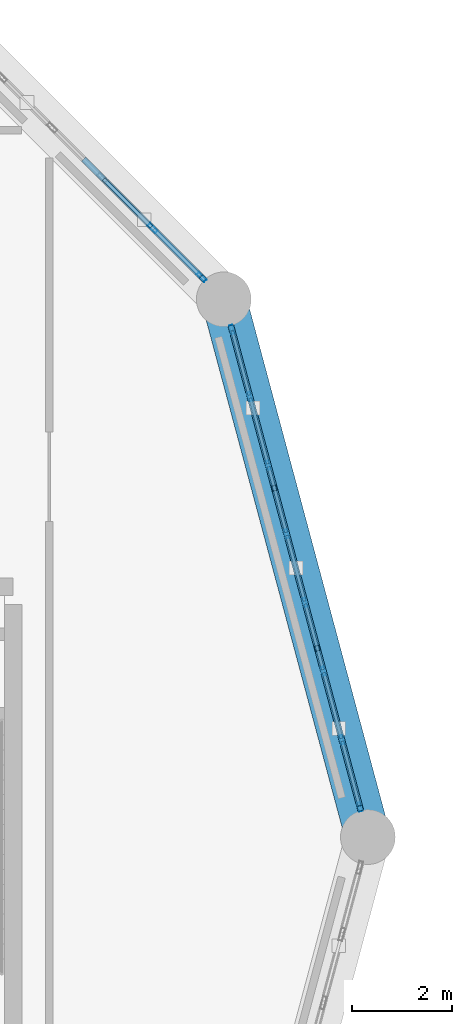
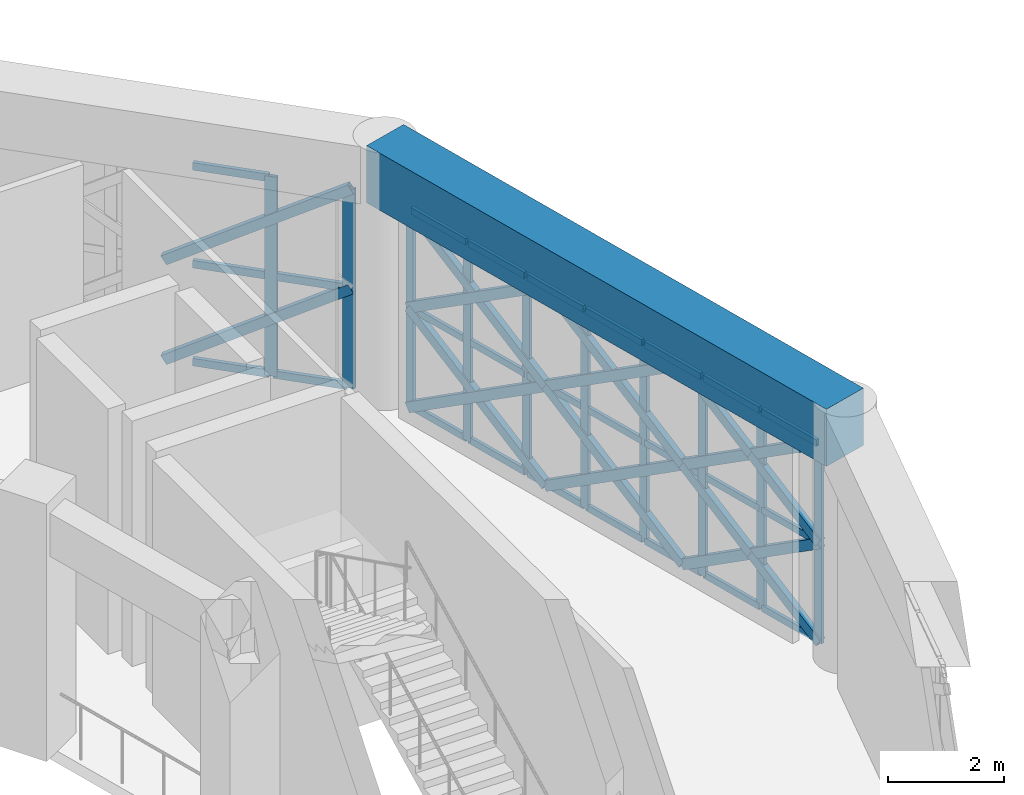
# One storey, part 32 of 72: 56 members, 1 beam, 2 elements without a shape of their own.
"""IFC4 building model written with IfcOpenShell, lengths in metres."""

from ifc_helpers import new_model, si_unit, direction, frame, origin, origin_2d, place, context, subcontext, project, spatial, rectangle, hollow_rectangle, extrude, material, material_profile, profile_set, type_object, element, aggregate, save


model = new_model("IFC4")

# Units and contexts
model_context = context("Model", 3, precision=1e-05, world=origin(), true_north=direction((0.0, 1.0)))
body_context = subcontext(model_context, "Body", "Model", "MODEL_VIEW")
ifc_project = project(units=[si_unit("LENGTHUNIT", "METRE"), si_unit("AREAUNIT", "SQUARE_METRE"), si_unit("VOLUMEUNIT", "CUBIC_METRE"), si_unit("PLANEANGLEUNIT", "RADIAN"), si_unit("MASSUNIT", "GRAM", prefix="KILO")], contexts=[model_context])

# Site, building, storey
site_placement = place(None, origin())
site = spatial("IfcSite", under=ifc_project, at=site_placement, CompositionType="ELEMENT")
building_placement = place(site_placement, origin())
building = spatial("IfcBuilding", under=site, at=building_placement, Name="Haizhuo Lancet Aquarium", CompositionType="ELEMENT")
storey_placement = place(building_placement, frame((0.0, 0.0, 21.60009765625)))
storey = spatial("IfcBuildingStorey", under=building, at=storey_placement, Name="L04", CompositionType="ELEMENT", Elevation=21.60009765625)

# Beam
ifc_material_1 = material(Name="Concrete C50/60", Category="concrete")
ifc_material_profile_1 = material_profile(ifc_material_1, rectangle(XDim=0.89990234375, YDim=1.199951171875, at=origin_2d()), Name="RC-RB 900x1200")
ifc_profile_set_1 = profile_set([ifc_material_profile_1], Name="Concrete C50/60")
beam_type = type_object("IfcBeamType", Name="BM-RB-900x1200", PredefinedType="USERDEFINED", material=ifc_profile_set_1)
beam_placement = place(storey_placement, frame((21.60009765625, 0.0, 4.7998046875), z_axis=(-0.258833949056, 0.965921832664, 0.0), x_axis=(-0.965921832664, -0.258833949056, 0.0)))
element("IfcBeam", 1, at=beam_placement, inside=storey, type_object=beam_type, Name="Ocean Hall dome tension ring beam RB-1 seg 1", ObjectType="RING BEAM", PredefinedType="USERDEFINED", context=body_context, shape_type="SweptSolid", body=[
    extrude(rectangle(XDim=0.89990234375, YDim=1.199951171875, at=origin_2d()), origin(), (0.0, 0.0, 1.0), 11.18115234375),
])

# Curtain wall, members
ifc_material_2 = material(Name="Aluminium 6063-T6", Category="aluminium")
curtain_wall_type = type_object("IfcCurtainWallType", Name="CWO-9990x4180", PredefinedType="NOTDEFINED", material=ifc_material_2)
curtain_wall_1_placement = place(storey_placement, origin())
curtain_wall_1 = element("IfcCurtainWall", 2, at=curtain_wall_1_placement, inside=storey, type_object=curtain_wall_type, Name="L04 curtain wall CW-V1-L04-01", PredefinedType="NOTDEFINED")
ifc_material_profile_2 = material_profile(ifc_material_2, hollow_rectangle(XDim=0.06494140625, YDim=0.179931640625, WallThickness=0.00390625, at=origin_2d()), Name="ALU-M 65x180x4")
ifc_profile_set_2 = profile_set([ifc_material_profile_2], Name="Aluminium 6063-T6")
member_type_1 = type_object("IfcMemberType", Name="CW-MUL-1", PredefinedType="MULLION", material=ifc_profile_set_2)
member_1_placement = place(storey_placement, frame((18.867919921875, 10.194091796875, 0.0), z_axis=(0.0, 0.0, 1.0), x_axis=(0.965916791212, 0.258852762117, 0.0)))
member_1 = element("IfcMember", 3, at=member_1_placement, type_object=member_type_1, Name="CWO-99x41 mullion 1", PredefinedType="MULLION", context=body_context, shape_type="SweptSolid", body=[
    extrude(hollow_rectangle(XDim=0.06494140625, YDim=0.179931640625, WallThickness=0.00390625, at=origin_2d()), origin(), (0.0, 0.0, 1.0), 4.184814453125),
])
member_2_placement = place(storey_placement, frame((19.22900390625, 8.845947265625, 0.0), z_axis=(0.0, 0.0, 1.0), x_axis=(0.965916791212, 0.258852762117, 0.0)))
member_2 = element("IfcMember", 4, at=member_2_placement, type_object=member_type_1, Name="CWO-99x41 mullion 2", PredefinedType="MULLION", context=body_context, shape_type="SweptSolid", body=[
    extrude(hollow_rectangle(XDim=0.06494140625, YDim=0.179931640625, WallThickness=0.00390625, at=origin_2d()), origin(), (0.0, 0.0, 1.0), 4.184814453125),
])
member_3_placement = place(storey_placement, frame((19.59912109375, 7.468017578125, 0.0), z_axis=(0.0, 0.0, 1.0), x_axis=(0.965916791212, 0.258852762117, 0.0)))
member_3 = element("IfcMember", 5, at=member_3_placement, type_object=member_type_1, Name="CWO-99x41 mullion 3", PredefinedType="MULLION", context=body_context, shape_type="SweptSolid", body=[
    extrude(hollow_rectangle(XDim=0.06494140625, YDim=0.179931640625, WallThickness=0.00390625, at=origin_2d()), origin(), (0.0, 0.0, 1.0), 4.184814453125),
])
member_4_placement = place(storey_placement, frame((19.968017578125, 6.089111328125, 0.0), z_axis=(0.0, 0.0, 1.0), x_axis=(0.965916791212, 0.258852762117, 0.0)))
member_4 = element("IfcMember", 6, at=member_4_placement, type_object=member_type_1, Name="CWO-99x41 mullion 4", PredefinedType="MULLION", context=body_context, shape_type="SweptSolid", body=[
    extrude(hollow_rectangle(XDim=0.06494140625, YDim=0.179931640625, WallThickness=0.00390625, at=origin_2d()), origin(), (0.0, 0.0, 1.0), 4.184814453125),
])
member_5_placement = place(storey_placement, frame((20.337890625, 4.7109375, 0.0), z_axis=(0.0, 0.0, 1.0), x_axis=(0.965916791212, 0.258852762117, 0.0)))
member_5 = element("IfcMember", 7, at=member_5_placement, type_object=member_type_1, Name="CWO-99x41 mullion 5", PredefinedType="MULLION", context=body_context, shape_type="SweptSolid", body=[
    extrude(hollow_rectangle(XDim=0.06494140625, YDim=0.179931640625, WallThickness=0.00390625, at=origin_2d()), origin(), (0.0, 0.0, 1.0), 4.184814453125),
])
member_6_placement = place(storey_placement, frame((20.70703125, 3.33203125, 0.0), z_axis=(0.0, 0.0, 1.0), x_axis=(0.965916791212, 0.258852762117, 0.0)))
member_6 = element("IfcMember", 8, at=member_6_placement, type_object=member_type_1, Name="CWO-99x41 mullion 6", PredefinedType="MULLION", context=body_context, shape_type="SweptSolid", body=[
    extrude(hollow_rectangle(XDim=0.06494140625, YDim=0.179931640625, WallThickness=0.00390625, at=origin_2d()), origin(), (0.0, 0.0, 1.0), 4.184814453125),
])
member_7_placement = place(storey_placement, frame((21.076904296875, 1.9541015625, 0.0), z_axis=(0.0, 0.0, 1.0), x_axis=(0.965916791212, 0.258852762117, 0.0)))
member_7 = element("IfcMember", 9, at=member_7_placement, type_object=member_type_1, Name="CWO-99x41 mullion 7", PredefinedType="MULLION", context=body_context, shape_type="SweptSolid", body=[
    extrude(hollow_rectangle(XDim=0.06494140625, YDim=0.179931640625, WallThickness=0.00390625, at=origin_2d()), origin(), (0.0, 0.0, 1.0), 4.184814453125),
])
member_8_placement = place(storey_placement, frame((21.43798828125, 0.60595703125, 0.0), z_axis=(0.0, 0.0, 1.0), x_axis=(0.965916791212, 0.258852762117, 0.0)))
member_8 = element("IfcMember", 10, at=member_8_placement, type_object=member_type_1, Name="CWO-99x41 mullion 8", PredefinedType="MULLION", context=body_context, shape_type="SweptSolid", body=[
    extrude(hollow_rectangle(XDim=0.06494140625, YDim=0.179931640625, WallThickness=0.00390625, at=origin_2d()), origin(), (0.0, 0.0, 1.0), 4.184814453125),
])

curtain_wall_2_placement = place(storey_placement, origin())
curtain_wall_2 = element("IfcCurtainWall", 11, at=curtain_wall_2_placement, inside=storey, type_object=curtain_wall_type, Name="L04 curtain wall CW-V1-L04-02", PredefinedType="NOTDEFINED")
ifc_material_profile_3 = material_profile(ifc_material_2, hollow_rectangle(XDim=0.074951171875, YDim=0.219970703125, WallThickness=0.0048828125, at=origin_2d()), Name="ALU-M 75x220x5")
ifc_profile_set_3 = profile_set([ifc_material_profile_3], Name="Aluminium 6063-T6")
member_type_2 = type_object("IfcMemberType", Name="CW-MUL-2", PredefinedType="MULLION", material=ifc_profile_set_3)
member_9_placement = place(storey_placement, frame((17.27587890625, 12.22998046875, 0.0), z_axis=(0.0, 0.0, 1.0), x_axis=(0.707106781187, 0.707106781187, 0.0)))
member_9 = element("IfcMember", 12, at=member_9_placement, type_object=member_type_2, Name="CWO-99x41 mullion 7", PredefinedType="MULLION", context=body_context, shape_type="SweptSolid", body=[
    extrude(hollow_rectangle(XDim=0.074951171875, YDim=0.219970703125, WallThickness=0.0048828125, at=origin_2d()), origin(), (0.0, 0.0, 1.0), 4.184814453125),
])
member_10_placement = place(storey_placement, frame((18.258056640625, 11.248046875, 0.0), z_axis=(0.0, 0.0, 1.0), x_axis=(0.707106781187, 0.707106781187, 0.0)))
member_10 = element("IfcMember", 13, at=member_10_placement, type_object=member_type_2, Name="CWO-99x41 mullion 8", PredefinedType="MULLION", context=body_context, shape_type="SweptSolid", body=[
    extrude(hollow_rectangle(XDim=0.074951171875, YDim=0.219970703125, WallThickness=0.0048828125, at=origin_2d()), origin(), (0.0, 0.0, 1.0), 4.184814453125),
])

# Member
ifc_material_profile_4 = material_profile(ifc_material_2, hollow_rectangle(XDim=0.06494140625, YDim=0.139892578125, WallThickness=0.00390625, at=origin_2d()), Name="ALU-T 65x140x4")
ifc_profile_set_4 = profile_set([ifc_material_profile_4], Name="Aluminium 6063-T6")
member_type_3 = type_object("IfcMemberType", Name="CW-TRN-1", PredefinedType="NOTDEFINED", material=ifc_profile_set_4)
member_11_placement = place(storey_placement, frame((18.876953125, 10.162109375, 0.032958984375), z_axis=(0.258748324207, -0.965944773121, 0.0), x_axis=(0.965944773121, 0.258748324207, 0.0)))
member_11 = element("IfcMember", 14, at=member_11_placement, type_object=member_type_3, Name="CWO-99x41 transom 1.1", ObjectType="TRANSOM", PredefinedType="USERDEFINED", context=body_context, shape_type="SweptSolid", body=[
    extrude(hollow_rectangle(XDim=0.06494140625, YDim=0.139892578125, WallThickness=0.00390625, at=origin_2d()), origin(), (0.0, 0.0, 1.0), 1.329345703125),
])

member_12_placement = place(storey_placement, frame((18.876953125, 10.162109375, 2.093017578125), z_axis=(0.258748324207, -0.965944773121, 0.0), x_axis=(0.965944773121, 0.258748324207, 0.0)))
member_12 = element("IfcMember", 15, at=member_12_placement, type_object=member_type_3, Name="CWO-99x41 transom 1.2", ObjectType="TRANSOM", PredefinedType="USERDEFINED", context=body_context, shape_type="SweptSolid", body=[
    extrude(hollow_rectangle(XDim=0.06494140625, YDim=0.139892578125, WallThickness=0.00390625, at=origin_2d()), origin(), (0.0, 0.0, 1.0), 1.329345703125),
])

member_13_placement = place(storey_placement, frame((18.876953125, 10.162109375, 4.15283203125), z_axis=(0.258748324207, -0.965944773121, 0.0), x_axis=(0.965944773121, 0.258748324207, 0.0)))
member_13 = element("IfcMember", 16, at=member_13_placement, type_object=member_type_3, Name="CWO-99x41 transom 1.3", ObjectType="TRANSOM", PredefinedType="USERDEFINED", context=body_context, shape_type="SweptSolid", body=[
    extrude(hollow_rectangle(XDim=0.06494140625, YDim=0.139892578125, WallThickness=0.00390625, at=origin_2d()), origin(), (0.0, 0.0, 1.0), 1.329345703125),
])

member_14_placement = place(storey_placement, frame((19.238037109375, 8.81494140625, 0.032958984375), z_axis=(0.258443425176, -0.966026395076, 0.0), x_axis=(0.966026395076, 0.258443425176, 0.0)))
member_14 = element("IfcMember", 17, at=member_14_placement, type_object=member_type_3, Name="CWO-99x41 transom 2.1", ObjectType="TRANSOM", PredefinedType="USERDEFINED", context=body_context, shape_type="SweptSolid", body=[
    extrude(hollow_rectangle(XDim=0.06494140625, YDim=0.139892578125, WallThickness=0.00390625, at=origin_2d()), origin(), (0.0, 0.0, 1.0), 1.3623046875),
])

member_15_placement = place(storey_placement, frame((19.238037109375, 8.81494140625, 2.093017578125), z_axis=(0.258443425176, -0.966026395076, 0.0), x_axis=(0.966026395076, 0.258443425176, 0.0)))
member_15 = element("IfcMember", 18, at=member_15_placement, type_object=member_type_3, Name="CWO-99x41 transom 2.2", ObjectType="TRANSOM", PredefinedType="USERDEFINED", context=body_context, shape_type="SweptSolid", body=[
    extrude(hollow_rectangle(XDim=0.06494140625, YDim=0.139892578125, WallThickness=0.00390625, at=origin_2d()), origin(), (0.0, 0.0, 1.0), 1.3623046875),
])

member_16_placement = place(storey_placement, frame((19.238037109375, 8.81494140625, 4.15283203125), z_axis=(0.258443425176, -0.966026395076, 0.0), x_axis=(0.966026395076, 0.258443425176, 0.0)))
member_16 = element("IfcMember", 19, at=member_16_placement, type_object=member_type_3, Name="CWO-99x41 transom 2.3", ObjectType="TRANSOM", PredefinedType="USERDEFINED", context=body_context, shape_type="SweptSolid", body=[
    extrude(hollow_rectangle(XDim=0.06494140625, YDim=0.139892578125, WallThickness=0.00390625, at=origin_2d()), origin(), (0.0, 0.0, 1.0), 1.3623046875),
])

member_17_placement = place(storey_placement, frame((19.60693359375, 7.43603515625, 0.032958984375), z_axis=(0.259291758378, -0.965799039157, 0.0), x_axis=(0.965799039157, 0.259291758378, 0.0)))
member_17 = element("IfcMember", 20, at=member_17_placement, type_object=member_type_3, Name="CWO-99x41 transom 3.1", ObjectType="TRANSOM", PredefinedType="USERDEFINED", context=body_context, shape_type="SweptSolid", body=[
    extrude(hollow_rectangle(XDim=0.06494140625, YDim=0.139892578125, WallThickness=0.00390625, at=origin_2d()), origin(), (0.0, 0.0, 1.0), 1.361572265625),
])

member_18_placement = place(storey_placement, frame((19.60693359375, 7.43603515625, 2.093017578125), z_axis=(0.259291758378, -0.965799039157, 0.0), x_axis=(0.965799039157, 0.259291758378, 0.0)))
member_18 = element("IfcMember", 21, at=member_18_placement, type_object=member_type_3, Name="CWO-99x41 transom 3.2", ObjectType="TRANSOM", PredefinedType="USERDEFINED", context=body_context, shape_type="SweptSolid", body=[
    extrude(hollow_rectangle(XDim=0.06494140625, YDim=0.139892578125, WallThickness=0.00390625, at=origin_2d()), origin(), (0.0, 0.0, 1.0), 1.361572265625),
])

member_19_placement = place(storey_placement, frame((19.60693359375, 7.43603515625, 4.15283203125), z_axis=(0.259291758378, -0.965799039157, 0.0), x_axis=(0.965799039157, 0.259291758378, 0.0)))
member_19 = element("IfcMember", 22, at=member_19_placement, type_object=member_type_3, Name="CWO-99x41 transom 3.3", ObjectType="TRANSOM", PredefinedType="USERDEFINED", context=body_context, shape_type="SweptSolid", body=[
    extrude(hollow_rectangle(XDim=0.06494140625, YDim=0.139892578125, WallThickness=0.00390625, at=origin_2d()), origin(), (0.0, 0.0, 1.0), 1.361572265625),
])

member_20_placement = place(storey_placement, frame((19.97705078125, 6.05810546875, 0.032958984375), z_axis=(0.258398686594, -0.966038362989, 0.0), x_axis=(0.966038362989, 0.258398686594, 0.0)))
member_20 = element("IfcMember", 23, at=member_20_placement, type_object=member_type_3, Name="CWO-99x41 transom 4.1", ObjectType="TRANSOM", PredefinedType="USERDEFINED", context=body_context, shape_type="SweptSolid", body=[
    extrude(hollow_rectangle(XDim=0.06494140625, YDim=0.139892578125, WallThickness=0.00390625, at=origin_2d()), origin(), (0.0, 0.0, 1.0), 1.362548828125),
])

member_21_placement = place(storey_placement, frame((19.97705078125, 6.05810546875, 2.093017578125), z_axis=(0.258398686594, -0.966038362989, 0.0), x_axis=(0.966038362989, 0.258398686594, 0.0)))
member_21 = element("IfcMember", 24, at=member_21_placement, type_object=member_type_3, Name="CWO-99x41 transom 4.2", ObjectType="TRANSOM", PredefinedType="USERDEFINED", context=body_context, shape_type="SweptSolid", body=[
    extrude(hollow_rectangle(XDim=0.06494140625, YDim=0.139892578125, WallThickness=0.00390625, at=origin_2d()), origin(), (0.0, 0.0, 1.0), 1.362548828125),
])

member_22_placement = place(storey_placement, frame((19.97705078125, 6.05810546875, 4.15283203125), z_axis=(0.258398686594, -0.966038362989, 0.0), x_axis=(0.966038362989, 0.258398686594, 0.0)))
member_22 = element("IfcMember", 25, at=member_22_placement, type_object=member_type_3, Name="CWO-99x41 transom 4.3", ObjectType="TRANSOM", PredefinedType="USERDEFINED", context=body_context, shape_type="SweptSolid", body=[
    extrude(hollow_rectangle(XDim=0.06494140625, YDim=0.139892578125, WallThickness=0.00390625, at=origin_2d()), origin(), (0.0, 0.0, 1.0), 1.362548828125),
])

member_23_placement = place(storey_placement, frame((20.345947265625, 4.678955078125, 0.032958984375), z_axis=(0.259291758378, -0.965799039157, 0.0), x_axis=(0.965799039157, 0.259291758378, 0.0)))
member_23 = element("IfcMember", 26, at=member_23_placement, type_object=member_type_3, Name="CWO-99x41 transom 5.1", ObjectType="TRANSOM", PredefinedType="USERDEFINED", context=body_context, shape_type="SweptSolid", body=[
    extrude(hollow_rectangle(XDim=0.06494140625, YDim=0.139892578125, WallThickness=0.00390625, at=origin_2d()), origin(), (0.0, 0.0, 1.0), 1.361572265625),
])

member_24_placement = place(storey_placement, frame((20.345947265625, 4.678955078125, 2.093017578125), z_axis=(0.259291758378, -0.965799039157, 0.0), x_axis=(0.965799039157, 0.259291758378, 0.0)))
member_24 = element("IfcMember", 27, at=member_24_placement, type_object=member_type_3, Name="CWO-99x41 transom 5.2", ObjectType="TRANSOM", PredefinedType="USERDEFINED", context=body_context, shape_type="SweptSolid", body=[
    extrude(hollow_rectangle(XDim=0.06494140625, YDim=0.139892578125, WallThickness=0.00390625, at=origin_2d()), origin(), (0.0, 0.0, 1.0), 1.361572265625),
])

member_25_placement = place(storey_placement, frame((20.345947265625, 4.678955078125, 4.15283203125), z_axis=(0.259291758378, -0.965799039157, 0.0), x_axis=(0.965799039157, 0.259291758378, 0.0)))
member_25 = element("IfcMember", 28, at=member_25_placement, type_object=member_type_3, Name="CWO-99x41 transom 5.3", ObjectType="TRANSOM", PredefinedType="USERDEFINED", context=body_context, shape_type="SweptSolid", body=[
    extrude(hollow_rectangle(XDim=0.06494140625, YDim=0.139892578125, WallThickness=0.00390625, at=origin_2d()), origin(), (0.0, 0.0, 1.0), 1.361572265625),
])

member_26_placement = place(storey_placement, frame((20.716064453125, 3.301025390625, 0.032958984375), z_axis=(0.258443425176, -0.966026395076, 0.0), x_axis=(0.966026395076, 0.258443425176, 0.0)))
member_26 = element("IfcMember", 29, at=member_26_placement, type_object=member_type_3, Name="CWO-99x41 transom 6.1", ObjectType="TRANSOM", PredefinedType="USERDEFINED", context=body_context, shape_type="SweptSolid", body=[
    extrude(hollow_rectangle(XDim=0.06494140625, YDim=0.139892578125, WallThickness=0.00390625, at=origin_2d()), origin(), (0.0, 0.0, 1.0), 1.3623046875),
])

member_27_placement = place(storey_placement, frame((20.716064453125, 3.301025390625, 2.093017578125), z_axis=(0.258443425176, -0.966026395076, 0.0), x_axis=(0.966026395076, 0.258443425176, 0.0)))
member_27 = element("IfcMember", 30, at=member_27_placement, type_object=member_type_3, Name="CWO-99x41 transom 6.2", ObjectType="TRANSOM", PredefinedType="USERDEFINED", context=body_context, shape_type="SweptSolid", body=[
    extrude(hollow_rectangle(XDim=0.06494140625, YDim=0.139892578125, WallThickness=0.00390625, at=origin_2d()), origin(), (0.0, 0.0, 1.0), 1.3623046875),
])

member_28_placement = place(storey_placement, frame((20.716064453125, 3.301025390625, 4.15283203125), z_axis=(0.258443425176, -0.966026395076, 0.0), x_axis=(0.966026395076, 0.258443425176, 0.0)))
member_28 = element("IfcMember", 31, at=member_28_placement, type_object=member_type_3, Name="CWO-99x41 transom 6.3", ObjectType="TRANSOM", PredefinedType="USERDEFINED", context=body_context, shape_type="SweptSolid", body=[
    extrude(hollow_rectangle(XDim=0.06494140625, YDim=0.139892578125, WallThickness=0.00390625, at=origin_2d()), origin(), (0.0, 0.0, 1.0), 1.3623046875),
])

member_29_placement = place(storey_placement, frame((21.0849609375, 1.922119140625, 0.032958984375), z_axis=(0.258748324207, -0.965944773121, 0.0), x_axis=(0.965944773121, 0.258748324207, 0.0)))
member_29 = element("IfcMember", 32, at=member_29_placement, type_object=member_type_3, Name="CWO-99x41 transom 7.1", ObjectType="TRANSOM", PredefinedType="USERDEFINED", context=body_context, shape_type="SweptSolid", body=[
    extrude(hollow_rectangle(XDim=0.06494140625, YDim=0.139892578125, WallThickness=0.00390625, at=origin_2d()), origin(), (0.0, 0.0, 1.0), 1.329345703125),
])

member_30_placement = place(storey_placement, frame((21.0849609375, 1.922119140625, 2.093017578125), z_axis=(0.258748324207, -0.965944773121, 0.0), x_axis=(0.965944773121, 0.258748324207, 0.0)))
member_30 = element("IfcMember", 33, at=member_30_placement, type_object=member_type_3, Name="CWO-99x41 transom 7.2", ObjectType="TRANSOM", PredefinedType="USERDEFINED", context=body_context, shape_type="SweptSolid", body=[
    extrude(hollow_rectangle(XDim=0.06494140625, YDim=0.139892578125, WallThickness=0.00390625, at=origin_2d()), origin(), (0.0, 0.0, 1.0), 1.329345703125),
])

member_31_placement = place(storey_placement, frame((21.0849609375, 1.922119140625, 4.15283203125), z_axis=(0.258748324207, -0.965944773121, 0.0), x_axis=(0.965944773121, 0.258748324207, 0.0)))
member_31 = element("IfcMember", 34, at=member_31_placement, type_object=member_type_3, Name="CWO-99x41 transom 7.3", ObjectType="TRANSOM", PredefinedType="USERDEFINED", context=body_context, shape_type="SweptSolid", body=[
    extrude(hollow_rectangle(XDim=0.06494140625, YDim=0.139892578125, WallThickness=0.00390625, at=origin_2d()), origin(), (0.0, 0.0, 1.0), 1.329345703125),
])

aggregate(curtain_wall_1, [member_1, member_2, member_3, member_4, member_5, member_6, member_7, member_8, member_11, member_12, member_13, member_14, member_15, member_16, member_17, member_18, member_19, member_20, member_21, member_22, member_23, member_24, member_25, member_26, member_27, member_28, member_29, member_30, member_31])

ifc_material_profile_5 = material_profile(ifc_material_2, hollow_rectangle(XDim=0.074951171875, YDim=0.159912109375, WallThickness=0.00390625, at=origin_2d()), Name="ALU-T 75x160x4")
ifc_profile_set_5 = profile_set([ifc_material_profile_5], Name="Aluminium 6063-T6")
member_type_4 = type_object("IfcMemberType", Name="CW-TRN-2", PredefinedType="NOTDEFINED", material=ifc_profile_set_5)
member_32_placement = place(storey_placement, frame((16.29296875, 13.212890625, 0.037841796875), z_axis=(0.707197071268, -0.707016479575, 0.0), x_axis=(0.707016479575, 0.707197071268, 0.0)))
member_32 = element("IfcMember", 35, at=member_32_placement, type_object=member_type_4, Name="CWO-99x41 transom 6.1", ObjectType="TRANSOM", PredefinedType="USERDEFINED", context=body_context, shape_type="SweptSolid", body=[
    extrude(hollow_rectangle(XDim=0.074951171875, YDim=0.159912109375, WallThickness=0.00390625, at=origin_2d()), origin(), (0.0, 0.0, 1.0), 1.351806640625),
])

member_33_placement = place(storey_placement, frame((16.29296875, 13.212890625, 2.093017578125), z_axis=(0.707197071268, -0.707016479575, 0.0), x_axis=(0.707016479575, 0.707197071268, 0.0)))
member_33 = element("IfcMember", 36, at=member_33_placement, type_object=member_type_4, Name="CWO-99x41 transom 6.2", ObjectType="TRANSOM", PredefinedType="USERDEFINED", context=body_context, shape_type="SweptSolid", body=[
    extrude(hollow_rectangle(XDim=0.074951171875, YDim=0.159912109375, WallThickness=0.00390625, at=origin_2d()), origin(), (0.0, 0.0, 1.0), 1.351806640625),
])

member_34_placement = place(storey_placement, frame((16.29296875, 13.212890625, 4.14697265625), z_axis=(0.707197071268, -0.707016479575, 0.0), x_axis=(0.707016479575, 0.707197071268, 0.0)))
member_34 = element("IfcMember", 37, at=member_34_placement, type_object=member_type_4, Name="CWO-99x41 transom 6.3", ObjectType="TRANSOM", PredefinedType="USERDEFINED", context=body_context, shape_type="SweptSolid", body=[
    extrude(hollow_rectangle(XDim=0.074951171875, YDim=0.159912109375, WallThickness=0.00390625, at=origin_2d()), origin(), (0.0, 0.0, 1.0), 1.351806640625),
])

member_35_placement = place(storey_placement, frame((17.302001953125, 12.2041015625, 0.037841796875), z_axis=(0.707013966752, -0.70719958344, 0.0), x_axis=(0.70719958344, 0.707013966752, 0.0)))
member_35 = element("IfcMember", 38, at=member_35_placement, type_object=member_type_4, Name="CWO-99x41 transom 7.1", ObjectType="TRANSOM", PredefinedType="USERDEFINED", context=body_context, shape_type="SweptSolid", body=[
    extrude(hollow_rectangle(XDim=0.074951171875, YDim=0.159912109375, WallThickness=0.00390625, at=origin_2d()), origin(), (0.0, 0.0, 1.0), 1.315185546875),
])

member_36_placement = place(storey_placement, frame((17.302001953125, 12.2041015625, 2.093017578125), z_axis=(0.707013966752, -0.70719958344, 0.0), x_axis=(0.70719958344, 0.707013966752, 0.0)))
member_36 = element("IfcMember", 39, at=member_36_placement, type_object=member_type_4, Name="CWO-99x41 transom 7.2", ObjectType="TRANSOM", PredefinedType="USERDEFINED", context=body_context, shape_type="SweptSolid", body=[
    extrude(hollow_rectangle(XDim=0.074951171875, YDim=0.159912109375, WallThickness=0.00390625, at=origin_2d()), origin(), (0.0, 0.0, 1.0), 1.315185546875),
])

aggregate(curtain_wall_2, [member_9, member_10, member_32, member_33, member_34, member_35, member_36])

# Members
ifc_material_3 = material(Name="Steel S355", Category="steel")
ifc_material_profile_6 = material_profile(ifc_material_3, hollow_rectangle(XDim=0.1201171875, YDim=0.199951171875, WallThickness=0.008056640625, at=origin_2d()), Name="RHS 120x200x8")
ifc_profile_set_6 = profile_set([ifc_material_profile_6], Name="Steel S355")
member_type_5 = type_object("IfcMemberType", Name="MEM-LB-RHS120x200", PredefinedType="BRACE", material=ifc_profile_set_6)
member_37_placement = place(storey_placement, frame((18.860107421875, 10.22509765625, 0.0), z_axis=(0.219093886519, -0.817847065908, 0.532094019582), x_axis=(0.965939872094, 0.258766619754, 0.0)))
element("IfcMember", 40, at=member_37_placement, inside=storey, type_object=member_type_5, Name="Gothic lancet continuous diagonal brace CW-V1-L04-01 1A", PredefinedType="BRACE", context=body_context, shape_type="SweptSolid", body=[
    extrude(hollow_rectangle(XDim=0.1201171875, YDim=0.199951171875, WallThickness=0.008056640625, at=origin_2d()), origin(), (0.0, 0.0, 1.0), 3.93359375),
])
member_38_placement = place(storey_placement, frame((19.721923828125, 7.008056640625, 0.0), z_axis=(-0.21903882882, 0.817827695142, 0.53214645778), x_axis=(-0.965954592946, -0.258711662602, 0.0)))
element("IfcMember", 41, at=member_38_placement, inside=storey, type_object=member_type_5, Name="Gothic lancet split diagonal brace CW-V1-L04-01 1B1", PredefinedType="BRACE", context=body_context, shape_type="SweptSolid", body=[
    extrude(hollow_rectangle(XDim=0.1201171875, YDim=0.199951171875, WallThickness=0.008056640625, at=origin_2d()), origin(), (0.0, 0.0, 1.0), 1.96728515625),
])
member_39_placement = place(storey_placement, frame((19.291015625, 8.616943359375, 1.046875), z_axis=(-0.219148970553, 0.817866441377, 0.532041551738), x_axis=(-0.965925141858, -0.25882159942, 0.0)))
element("IfcMember", 42, at=member_39_placement, inside=storey, type_object=member_type_5, Name="Gothic lancet split diagonal brace CW-V1-L04-01 1B2", PredefinedType="BRACE", context=body_context, shape_type="SweptSolid", body=[
    extrude(hollow_rectangle(XDim=0.1201171875, YDim=0.199951171875, WallThickness=0.008056640625, at=origin_2d()), origin(), (0.0, 0.0, 1.0), 1.96630859375),
])
member_40_placement = place(storey_placement, frame((18.860107421875, 10.22509765625, 2.093017578125), z_axis=(0.219130062897, -0.817982107307, 0.531871495439), x_axis=(0.965939872094, 0.258766619754, 0.0)))
element("IfcMember", 43, at=member_40_placement, inside=storey, type_object=member_type_5, Name="Gothic lancet continuous diagonal brace CW-V1-L04-01 2A", PredefinedType="BRACE", context=body_context, shape_type="SweptSolid", body=[
    extrude(hollow_rectangle(XDim=0.1201171875, YDim=0.199951171875, WallThickness=0.008056640625, at=origin_2d()), origin(), (0.0, 0.0, 1.0), 3.932861328125),
])
member_41_placement = place(storey_placement, frame((19.721923828125, 7.008056640625, 2.093017578125), z_axis=(-0.219096686113, 0.818043717557, 0.531790483462), x_axis=(-0.965954592946, -0.258711662602, 0.0)))
element("IfcMember", 44, at=member_41_placement, inside=storey, type_object=member_type_5, Name="Gothic lancet split diagonal brace CW-V1-L04-01 2B1", PredefinedType="BRACE", context=body_context, shape_type="SweptSolid", body=[
    extrude(hollow_rectangle(XDim=0.1201171875, YDim=0.199951171875, WallThickness=0.008056640625, at=origin_2d()), origin(), (0.0, 0.0, 1.0), 1.966796875),
])
member_42_placement = place(storey_placement, frame((19.291015625, 8.616943359375, 3.138916015625), z_axis=(-0.219163447336, 0.817920468895, 0.531952525997), x_axis=(-0.965925141858, -0.25882159942, 0.0)))
element("IfcMember", 45, at=member_42_placement, inside=storey, type_object=member_type_5, Name="Gothic lancet split diagonal brace CW-V1-L04-01 2B2", PredefinedType="BRACE", context=body_context, shape_type="SweptSolid", body=[
    extrude(hollow_rectangle(XDim=0.1201171875, YDim=0.199951171875, WallThickness=0.008056640625, at=origin_2d()), origin(), (0.0, 0.0, 1.0), 1.966064453125),
])
member_43_placement = place(storey_placement, frame((19.721923828125, 7.008056640625, 0.0), z_axis=(0.219197475284, -0.817753707708, 0.532194833081), x_axis=(0.965901894805, 0.258908342106, 0.0)))
element("IfcMember", 46, at=member_43_placement, inside=storey, type_object=member_type_5, Name="Gothic lancet continuous diagonal brace CW-V1-L04-01 3A", PredefinedType="BRACE", context=body_context, shape_type="SweptSolid", body=[
    extrude(hollow_rectangle(XDim=0.1201171875, YDim=0.199951171875, WallThickness=0.008056640625, at=origin_2d()), origin(), (0.0, 0.0, 1.0), 3.932861328125),
])
member_44_placement = place(storey_placement, frame((20.583984375, 3.7919921875, 0.0), z_axis=(-0.219127780054, 0.817663206478, 0.5323625614), x_axis=(-0.965915316483, -0.258858265046, 0.0)))
element("IfcMember", 47, at=member_44_placement, inside=storey, type_object=member_type_5, Name="Gothic lancet split diagonal brace CW-V1-L04-01 3B1", PredefinedType="BRACE", context=body_context, shape_type="SweptSolid", body=[
    extrude(hollow_rectangle(XDim=0.1201171875, YDim=0.199951171875, WallThickness=0.008056640625, at=origin_2d()), origin(), (0.0, 0.0, 1.0), 1.966552734375),
])
member_45_placement = place(storey_placement, frame((20.153076171875, 5.39990234375, 1.046875), z_axis=(-0.219267166329, 0.817844181547, 0.53202707119), x_axis=(-0.965888472942, -0.258958409476, 0.0)))
element("IfcMember", 48, at=member_45_placement, inside=storey, type_object=member_type_5, Name="Gothic lancet split diagonal brace CW-V1-L04-01 3B2", PredefinedType="BRACE", context=body_context, shape_type="SweptSolid", body=[
    extrude(hollow_rectangle(XDim=0.1201171875, YDim=0.199951171875, WallThickness=0.008056640625, at=origin_2d()), origin(), (0.0, 0.0, 1.0), 1.96630859375),
])
member_46_placement = place(storey_placement, frame((19.721923828125, 7.008056640625, 2.093017578125), z_axis=(0.219233682486, -0.817888784874, 0.531972300069), x_axis=(0.965901894805, 0.258908342106, 0.0)))
element("IfcMember", 49, at=member_46_placement, inside=storey, type_object=member_type_5, Name="Gothic lancet continuous diagonal brace CW-V1-L04-01 4A", PredefinedType="BRACE", context=body_context, shape_type="SweptSolid", body=[
    extrude(hollow_rectangle(XDim=0.1201171875, YDim=0.199951171875, WallThickness=0.008056640625, at=origin_2d()), origin(), (0.0, 0.0, 1.0), 3.93212890625),
])
member_47_placement = place(storey_placement, frame((20.583984375, 3.7919921875, 2.093017578125), z_axis=(-0.219185707881, 0.817879360967, 0.532006556693), x_axis=(-0.965915316483, -0.258858265046, 0.0)))
element("IfcMember", 50, at=member_47_placement, inside=storey, type_object=member_type_5, Name="Gothic lancet split diagonal brace CW-V1-L04-01 4B1", PredefinedType="BRACE", context=body_context, shape_type="SweptSolid", body=[
    extrude(hollow_rectangle(XDim=0.1201171875, YDim=0.199951171875, WallThickness=0.008056640625, at=origin_2d()), origin(), (0.0, 0.0, 1.0), 1.966064453125),
])
member_48_placement = place(storey_placement, frame((20.153076171875, 5.39990234375, 3.138916015625), z_axis=(-0.219281650132, 0.817898204654, 0.53193804596), x_axis=(-0.965888472942, -0.258958409476, 0.0)))
element("IfcMember", 51, at=member_48_placement, inside=storey, type_object=member_type_5, Name="Gothic lancet split diagonal brace CW-V1-L04-01 4B2", PredefinedType="BRACE", context=body_context, shape_type="SweptSolid", body=[
    extrude(hollow_rectangle(XDim=0.1201171875, YDim=0.199951171875, WallThickness=0.008056640625, at=origin_2d()), origin(), (0.0, 0.0, 1.0), 1.96630859375),
])
member_49_placement = place(storey_placement, frame((20.583984375, 3.7919921875, 0.0), z_axis=(0.219152972258, -0.8178359432, 0.532086783111), x_axis=(0.965921547218, 0.258835014285, 0.0)))
element("IfcMember", 52, at=member_49_placement, inside=storey, type_object=member_type_5, Name="Gothic lancet continuous diagonal brace CW-V1-L04-01 5A", PredefinedType="BRACE", context=body_context, shape_type="SweptSolid", body=[
    extrude(hollow_rectangle(XDim=0.1201171875, YDim=0.199951171875, WallThickness=0.008056640625, at=origin_2d()), origin(), (0.0, 0.0, 1.0), 3.93359375),
])
for number, where, z_axis, x_axis, name in (
    (53, (21.446044921875, 0.574951171875, 0.0), (-0.219223711867, 0.817682100833, 0.532294041046), (-0.965888472942, -0.258958409476, 0.0), "Gothic lancet split diagonal brace CW-V1-L04-01 5B1"),
    (54, (21.014892578125, 2.18310546875, 1.046875), (-0.219082222555, 0.817989714809, 0.531879503484), (-0.965954592946, -0.258711662602, 0.0), "Gothic lancet split diagonal brace CW-V1-L04-01 5B2"),
):
    element("IfcMember", number, at=place(storey_placement, frame(where, z_axis=z_axis, x_axis=x_axis)), inside=storey, type_object=member_type_5, Name=name, PredefinedType="BRACE", context=body_context, shape_type="SweptSolid", body=[
        extrude(hollow_rectangle(XDim=0.1201171875, YDim=0.199951171875, WallThickness=0.008056640625, at=origin_2d()), origin(), (0.0, 0.0, 1.0), 1.966796875),
    ])
member_50_placement = place(storey_placement, frame((20.583984375, 3.7919921875, 2.093017578125), z_axis=(0.219189157407, -0.817970979087, 0.531864259605), x_axis=(0.965921547218, 0.258835014285, 0.0)))
element("IfcMember", 55, at=member_50_placement, inside=storey, type_object=member_type_5, Name="Gothic lancet continuous diagonal brace CW-V1-L04-01 6A", PredefinedType="BRACE", context=body_context, shape_type="SweptSolid", body=[
    extrude(hollow_rectangle(XDim=0.1201171875, YDim=0.199951171875, WallThickness=0.008056640625, at=origin_2d()), origin(), (0.0, 0.0, 1.0), 3.932861328125),
])
member_51_placement = place(storey_placement, frame((21.446044921875, 0.574951171875, 2.093017578125), z_axis=(-0.219281650132, 0.817898204654, 0.53193804596), x_axis=(-0.965888472942, -0.258958409476, 0.0)))
element("IfcMember", 56, at=member_51_placement, inside=storey, type_object=member_type_5, Name="Gothic lancet split diagonal brace CW-V1-L04-01 6B1", PredefinedType="BRACE", context=body_context, shape_type="SweptSolid", body=[
    extrude(hollow_rectangle(XDim=0.1201171875, YDim=0.199951171875, WallThickness=0.008056640625, at=origin_2d()), origin(), (0.0, 0.0, 1.0), 1.96630859375),
])
member_52_placement = place(storey_placement, frame((21.014892578125, 2.18310546875, 3.138916015625), z_axis=(-0.219096686113, 0.818043717557, 0.531790483462), x_axis=(-0.965954592946, -0.258711662602, 0.0)))
element("IfcMember", 57, at=member_52_placement, inside=storey, type_object=member_type_5, Name="Gothic lancet split diagonal brace CW-V1-L04-01 6B2", PredefinedType="BRACE", context=body_context, shape_type="SweptSolid", body=[
    extrude(hollow_rectangle(XDim=0.1201171875, YDim=0.199951171875, WallThickness=0.008056640625, at=origin_2d()), origin(), (0.0, 0.0, 1.0), 1.966796875),
])
member_53_placement = place(storey_placement, frame((15.929931640625, 13.575927734375, 0.0), z_axis=(0.598695261039, -0.598695261039, 0.532097706084), x_axis=(0.707106781187, 0.707106781187, 0.0)))
element("IfcMember", 58, at=member_53_placement, inside=storey, type_object=member_type_5, Name="Gothic lancet continuous diagonal brace CW-V1-L04-02 5A", PredefinedType="BRACE", context=body_context, shape_type="SweptSolid", body=[
    extrude(hollow_rectangle(XDim=0.1201171875, YDim=0.199951171875, WallThickness=0.008056640625, at=origin_2d()), origin(), (0.0, 0.0, 1.0), 3.93359375),
])
member_54_placement = place(storey_placement, frame((15.929931640625, 13.575927734375, 2.093017578125), z_axis=(0.598794117865, -0.598794117865, 0.531875181616), x_axis=(0.707106781187, 0.707106781187, 0.0)))
element("IfcMember", 59, at=member_54_placement, inside=storey, type_object=member_type_5, Name="Gothic lancet continuous diagonal brace CW-V1-L04-02 6A", PredefinedType="BRACE", context=body_context, shape_type="SweptSolid", body=[
    extrude(hollow_rectangle(XDim=0.1201171875, YDim=0.199951171875, WallThickness=0.008056640625, at=origin_2d()), origin(), (0.0, 0.0, 1.0), 3.932861328125),
])

save(model, "model.ifc")
